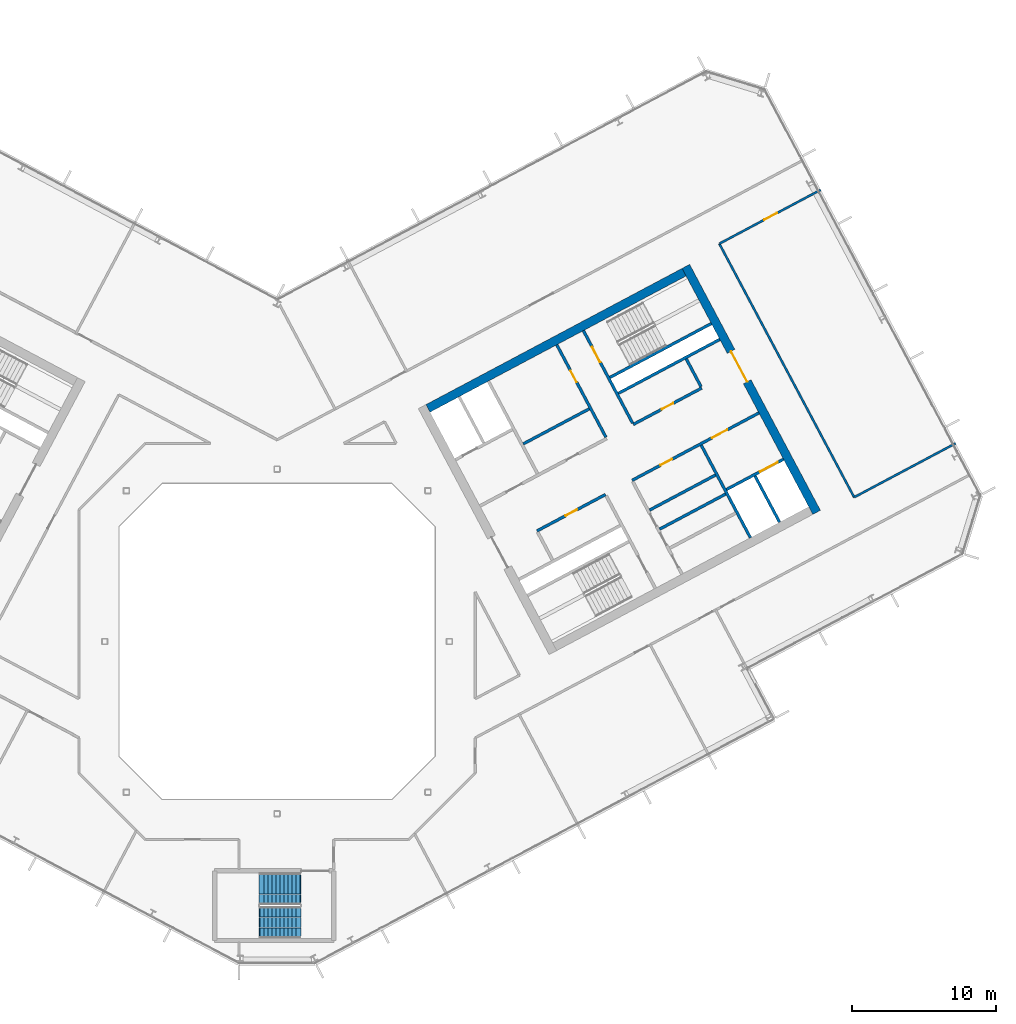
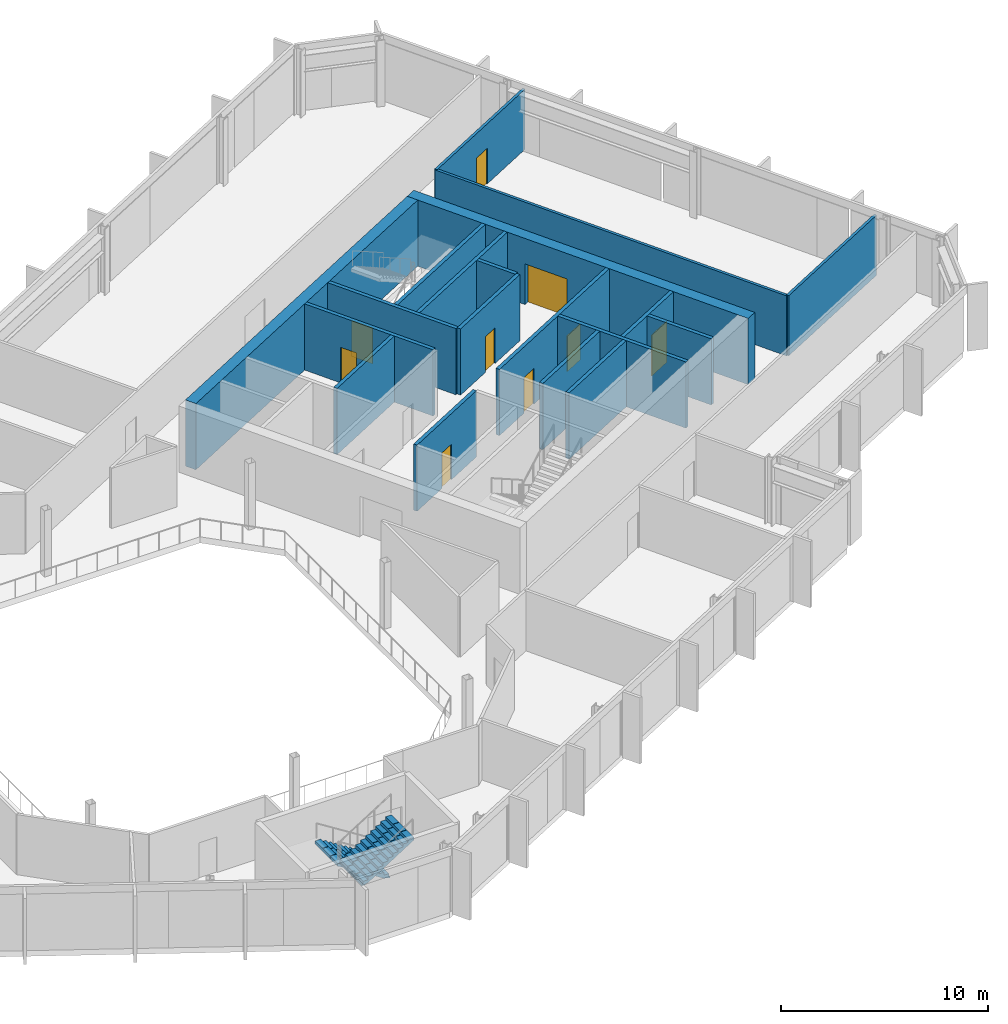
# One storey, part 16 of 26: 19 walls, 9 doors, 2 stair flights, 9 openings, 1 element without a shape of its own.
"""IFC4 building model written with IfcOpenShell, lengths in metres."""

from ifc_helpers import new_model, si_unit, direction, frame, frame_2d, origin, place, context, subcontext, project, spatial, polyline, rectangle, outline, extrude, material, layer, layer_set, type_object, element, fill, aggregate, save


model = new_model("IFC4")

# Units and contexts
model_context = context("Model", 3, precision=1e-05, world=origin(), true_north=direction((0.0, 1.0)))
body_context = subcontext(model_context, "Body", "Model", "MODEL_VIEW")
ifc_project = project(units=[si_unit("LENGTHUNIT", "METRE"), si_unit("AREAUNIT", "SQUARE_METRE"), si_unit("VOLUMEUNIT", "CUBIC_METRE"), si_unit("PLANEANGLEUNIT", "RADIAN"), si_unit("MASSUNIT", "GRAM", prefix="KILO")], contexts=[model_context])

# Site, building, storey
site_placement = place(None, origin())
site = spatial("IfcSite", under=ifc_project, at=site_placement, CompositionType="ELEMENT")
building_placement = place(site_placement, origin())
building = spatial("IfcBuilding", under=site, at=building_placement, Name="Cormorant Relay Tower", CompositionType="ELEMENT")
storey_placement = place(building_placement, frame((0.0, 0.0, 205.199951171875)))
storey = spatial("IfcBuildingStorey", under=building, at=storey_placement, Name="L44", CompositionType="ELEMENT", Elevation=205.199951171875)

# Wall
ifc_material_1 = material(Name="Concrete 40 MPa", Category="concrete")
ifc_layer_1 = layer(ifc_material_1, 0.199951171875)
ifc_layer_set_1 = layer_set([ifc_layer_1], Name="Core internal wall 200")
wall_type_1 = type_object("IfcWallType", Name="Core internal wall 200", PredefinedType="SOLIDWALL", material=ifc_layer_set_1)
wall_1_placement = place(storey_placement, frame((26.645263671875, 7.8251953125, 0.0), z_axis=(0.0, 0.0, 1.0), x_axis=(0.882953967957, 0.469459572775, 0.0)))
element("IfcWall", 1, at=wall_1_placement, inside=storey, type_object=wall_type_1, Name="L44 core B shaft and room wall", PredefinedType="SOLIDWALL", context=body_context, shape_type="SweptSolid", body=[
    extrude(rectangle(XDim=5.199951171875, YDim=0.199951171875, at=frame_2d((2.60009765625, 0.0))), origin(), (0.0, 0.0, 1.0), 3.900146484375),
])

# Wall, opening, door
ifc_material_2 = material(Name="Concrete 50 MPa", Category="concrete")
ifc_layer_2 = layer(ifc_material_2, 0.199951171875)
ifc_layer_set_2 = layer_set([ifc_layer_2], Name="Core shaft wall 200")
wall_type_2 = type_object("IfcWallType", Name="Core shaft wall 200", PredefinedType="SHEAR", material=ifc_layer_set_2)
wall_2_placement = place(storey_placement, frame((22.90625, 14.218017578125, 0.0), z_axis=(0.0, 0.0, 1.0), x_axis=(-0.469480409012, 0.88294288918, 0.0)))
wall_2 = element("IfcWall", 2, at=wall_2_placement, inside=storey, type_object=wall_type_2, Name="L44 core B shaft wall", PredefinedType="SHEAR", context=body_context, shape_type="SweptSolid", body=[
    extrude(rectangle(XDim=7.300048828125, YDim=0.199951171875, at=frame_2d((3.64990234375, 0.0))), origin(), (0.0, 0.0, 1.0), 3.900146484375),
])
opening_1_placement = place(wall_2_placement, frame((4.35009765625, 0.0, 0.0)))
opening_1 = element("IfcOpeningElement", 3, at=opening_1_placement, cuts=wall_2, Name="Opening CDD-264", PredefinedType="OPENING", context=body_context, shape_type="SweptSolid", body=[
    extrude(rectangle(XDim=0.89990234375, YDim=2.10009765625, at=frame_2d((0.449951171875, 1.050048828125))), frame((0.0, 0.10986328125, 0.0), z_axis=(0.0, -1.0, 0.0), x_axis=(1.0, 0.0, 0.0)), (0.0, 0.0, 1.0), 0.219970703125),
])
ifc_material_3 = material(Name="Steel fire door", Category="steel")
door_type_1 = type_object("IfcDoorType", Name="Core room door 900x2100", OperationType="SINGLE_SWING_LEFT", PredefinedType="DOOR", material=ifc_material_3)
door_1_placement = place(opening_1_placement, origin())
door_1 = element("IfcDoor", 4, at=door_1_placement, inside=storey, type_object=door_type_1, Name="Core room door 900x2100", OperationType="SINGLE_SWING_LEFT", OverallHeight=2.10009765625, OverallWidth=0.89990234375, PredefinedType="DOOR", context=body_context, shape_type="SweptSolid", body=[
    extrude(rectangle(XDim=0.89990234375, YDim=2.10009765625, at=frame_2d((0.449951171875, 1.050048828125))), frame((0.0, 0.02490234375, 0.0), z_axis=(0.0, -1.0, 0.0), x_axis=(1.0, 0.0, 0.0)), (0.0, 0.0, 1.0), 0.050048828125),
])
fill(opening_1, door_1)

wall_3_placement = place(storey_placement, frame((24.760498046875, 15.2041015625, 0.0), z_axis=(0.0, 0.0, 1.0), x_axis=(-0.469494272526, 0.882935517501, 0.0)))
wall_3 = element("IfcWall", 5, at=wall_3_placement, inside=storey, type_object=wall_type_2, Name="L44 core B shaft wall", PredefinedType="SHEAR", context=body_context, shape_type="SweptSolid", body=[
    extrude(rectangle(XDim=7.2998046875, YDim=0.199951171875, at=frame_2d((3.64990234375, 0.0))), origin(), (0.0, 0.0, 1.0), 3.900146484375),
])
opening_2_placement = place(wall_3_placement, frame((4.800048828125, 0.0, 0.0)))
opening_2 = element("IfcOpeningElement", 6, at=opening_2_placement, cuts=wall_3, Name="Opening CDB-041", PredefinedType="OPENING", context=body_context, shape_type="SweptSolid", body=[
    extrude(rectangle(XDim=1.199951171875, YDim=2.10009765625, at=frame_2d((0.60009765625, 1.050048828125))), frame((0.0, 0.10986328125, 0.0), z_axis=(0.0, -1.0, 0.0), x_axis=(1.0, 0.0, 0.0)), (0.0, 0.0, 1.0), 0.219970703125),
])
ifc_material_4 = material(Name="Steel fire door", Category="steel")
door_type_2 = type_object("IfcDoorType", Name="Core stair door 1200x2100", OperationType="SINGLE_SWING_LEFT", PredefinedType="DOOR", material=ifc_material_4)
door_2_placement = place(opening_2_placement, frame((1.199951171875, 0.0, 0.0), z_axis=(0.0, 0.0, 1.0), x_axis=(-1.0, 0.0, 0.0)))
door_2 = element("IfcDoor", 7, at=door_2_placement, inside=storey, type_object=door_type_2, Name="Core stair door 1200x2100", OperationType="SINGLE_SWING_RIGHT", OverallHeight=2.10009765625, OverallWidth=1.199951171875, PredefinedType="DOOR", context=body_context, shape_type="SweptSolid", body=[
    extrude(rectangle(XDim=1.199951171875, YDim=2.10009765625, at=frame_2d((0.60009765625, 1.050048828125))), frame((0.0, 0.02490234375, 0.0), z_axis=(0.0, -1.0, 0.0), x_axis=(1.0, 0.0, 0.0)), (0.0, 0.0, 1.0), 0.050048828125),
])
fill(opening_2, door_2)

# Walls
wall_4_placement = place(storey_placement, frame((32.968017578125, 7.222900390625, 0.0), z_axis=(0.0, 0.0, 1.0), x_axis=(-0.469480409012, 0.88294288918, 0.0)))
element("IfcWall", 8, at=wall_4_placement, inside=storey, type_object=wall_type_2, Name="L44 core B shaft wall", PredefinedType="SHEAR", context=body_context, shape_type="SweptSolid", body=[
    extrude(rectangle(XDim=7.300048828125, YDim=0.199951171875, at=frame_2d((3.64990234375, 0.0))), origin(), (0.0, 0.0, 1.0), 3.900146484375),
])
wall_5_placement = place(storey_placement, frame((29.5283203125, 17.739013671875, 0.0), z_axis=(0.0, 0.0, 1.0), x_axis=(-0.469401318492, 0.882984938828, 0.0)))
element("IfcWall", 9, at=wall_5_placement, inside=storey, type_object=wall_type_2, Name="L44 core B shaft wall", PredefinedType="SHEAR", context=body_context, shape_type="SweptSolid", body=[
    extrude(rectangle(XDim=2.199951171875, YDim=0.199951171875, at=frame_2d((1.10009765625, 0.0))), origin(), (0.0, 0.0, 1.0), 3.900146484375),
])
wall_6_placement = place(storey_placement, frame((34.998779296875, 8.302734375, 0.0), z_axis=(0.0, 0.0, 1.0), x_axis=(-0.4694665462, 0.882950260207, 0.0)))
element("IfcWall", 10, at=wall_6_placement, inside=storey, type_object=wall_type_2, Name="L44 core B shaft wall", PredefinedType="SHEAR", context=body_context, shape_type="SweptSolid", body=[
    extrude(rectangle(XDim=3.650146484375, YDim=0.199951171875, at=frame_2d((1.8251953125, 0.0))), origin(), (0.0, 0.0, 1.0), 3.900146484375),
])

# Wall, opening, door
wall_7_placement = place(storey_placement, frame((31.295654296875, 10.5810546875, 0.0), z_axis=(0.0, 0.0, 1.0), x_axis=(0.882960433586, 0.469447412093, 0.0)))
wall_7 = element("IfcWall", 11, at=wall_7_placement, inside=storey, type_object=wall_type_2, Name="L44 core B shaft wall", PredefinedType="SHEAR", context=body_context, shape_type="SweptSolid", body=[
    extrude(rectangle(XDim=4.5, YDim=0.199951171875, at=frame_2d((2.25, 0.0))), origin(), (0.0, 0.0, 1.0), 3.900146484375),
])
opening_3_placement = place(wall_7_placement, frame((2.64990234375, 0.0, 0.0)))
opening_3 = element("IfcOpeningElement", 12, at=opening_3_placement, cuts=wall_7, Name="Opening LD3-016", PredefinedType="OPENING", context=body_context, shape_type="SweptSolid", body=[
    extrude(rectangle(XDim=1.39990234375, YDim=2.39990234375, at=frame_2d((0.699951171875, 1.199951171875))), frame((0.0, 0.10986328125, 0.0), z_axis=(0.0, -1.0, 0.0), x_axis=(1.0, 0.0, 0.0)), (0.0, 0.0, 1.0), 0.219970703125),
])
ifc_material_5 = material(Name="Stainless steel 316", Category="steel")
door_type_3 = type_object("IfcDoorType", Name="Lift landing door 1400x2400", OperationType="DOUBLE_DOOR_SLIDING", PredefinedType="DOOR", material=ifc_material_5)
door_3_placement = place(opening_3_placement, origin())
door_3 = element("IfcDoor", 13, at=door_3_placement, inside=storey, type_object=door_type_3, Name="SV2 landing door", OperationType="DOUBLE_DOOR_SLIDING", OverallHeight=2.39990234375, OverallWidth=1.39990234375, PredefinedType="DOOR", context=body_context, shape_type="SweptSolid", body=[
    extrude(rectangle(XDim=1.39990234375, YDim=2.39990234375, at=frame_2d((0.699951171875, 1.199951171875))), frame((0.0, 0.02490234375, 0.0), z_axis=(0.0, -1.0, 0.0), x_axis=(1.0, 0.0, 0.0)), (0.0, 0.0, 1.0), 0.050048828125),
])
fill(opening_3, door_3)

# Wall
wall_8_placement = place(storey_placement, frame((25.94091796875, 9.149658203125, 0.0), z_axis=(0.0, 0.0, 1.0), x_axis=(0.882953967957, 0.469459572775, 0.0)))
element("IfcWall", 14, at=wall_8_placement, inside=storey, type_object=wall_type_2, Name="L44 core B shaft wall", PredefinedType="SHEAR", context=body_context, shape_type="SweptSolid", body=[
    extrude(rectangle(XDim=5.199951171875, YDim=0.199951171875, at=frame_2d((2.60009765625, 0.0))), origin(), (0.0, 0.0, 1.0), 3.900146484375),
])

# Wall, opening, door
wall_9_placement = place(storey_placement, frame((18.103759765625, 7.70068359375, 0.0), z_axis=(0.0, 0.0, 1.0), x_axis=(0.882952937579, 0.469461510692, 0.0)))
wall_9 = element("IfcWall", 15, at=wall_9_placement, inside=storey, type_object=wall_type_2, Name="L44 core B shaft wall", PredefinedType="SHEAR", context=body_context, shape_type="SweptSolid", body=[
    extrude(rectangle(XDim=5.400146484375, YDim=0.199951171875, at=frame_2d((2.7001953125, 0.0))), origin(), (0.0, 0.0, 1.0), 3.900146484375),
])
opening_4_placement = place(wall_9_placement, frame((2.25, 0.0, 0.0)))
opening_4 = element("IfcOpeningElement", 16, at=opening_4_placement, cuts=wall_9, Name="Opening CDD-262", PredefinedType="OPENING", context=body_context, shape_type="SweptSolid", body=[
    extrude(rectangle(XDim=0.89990234375, YDim=2.10009765625, at=frame_2d((0.449951171875, 1.050048828125))), frame((0.0, 0.10986328125, 0.0), z_axis=(0.0, -1.0, 0.0), x_axis=(1.0, 0.0, 0.0)), (0.0, 0.0, 1.0), 0.219970703125),
])
door_4_placement = place(opening_4_placement, frame((0.89990234375, 0.0, 0.0), z_axis=(0.0, 0.0, 1.0), x_axis=(-1.0, 0.0, 0.0)))
door_4 = element("IfcDoor", 17, at=door_4_placement, inside=storey, type_object=door_type_1, Name="Core room door 900x2100", OperationType="SINGLE_SWING_RIGHT", OverallHeight=2.10009765625, OverallWidth=0.89990234375, PredefinedType="DOOR", context=body_context, shape_type="SweptSolid", body=[
    extrude(rectangle(XDim=0.89990234375, YDim=2.10009765625, at=frame_2d((0.449951171875, 1.050048828125))), frame((0.0, 0.02490234375, 0.0), z_axis=(0.0, -1.0, 0.0), x_axis=(1.0, 0.0, 0.0)), (0.0, 0.0, 1.0), 0.050048828125),
])
fill(opening_4, door_4)

# Wall, openings, doors
wall_10_placement = place(storey_placement, frame((24.72607421875, 11.2216796875, 0.0), z_axis=(0.0, 0.0, 1.0), x_axis=(0.882940221191, 0.469485426614, 0.0)))
wall_10 = element("IfcWall", 18, at=wall_10_placement, inside=storey, type_object=wall_type_2, Name="L44 core B shaft wall", PredefinedType="SHEAR", context=body_context, shape_type="SweptSolid", body=[
    extrude(rectangle(XDim=10.0, YDim=0.199951171875, at=frame_2d((5.0, 0.0))), origin(), (0.0, 0.0, 1.0), 3.900146484375),
])
opening_5_placement = place(wall_10_placement, frame((6.300048828125, 0.0, 0.0)))
opening_5 = element("IfcOpeningElement", 19, at=opening_5_placement, cuts=wall_10, Name="Opening CDC-038", PredefinedType="OPENING", context=body_context, shape_type="SweptSolid", body=[
    extrude(rectangle(XDim=1.199951171875, YDim=2.10009765625, at=frame_2d((0.60009765625, 1.050048828125))), frame((0.0, 0.10986328125, 0.0), z_axis=(0.0, -1.0, 0.0), x_axis=(1.0, 0.0, 0.0)), (0.0, 0.0, 1.0), 0.219970703125),
])
opening_6_placement = place(wall_10_placement, frame((2.25, 0.0, 0.0)))
opening_6 = element("IfcOpeningElement", 20, at=opening_6_placement, cuts=wall_10, Name="Opening CDD-263", PredefinedType="OPENING", context=body_context, shape_type="SweptSolid", body=[
    extrude(rectangle(XDim=0.89990234375, YDim=2.10009765625, at=frame_2d((0.449951171875, 1.050048828125))), frame((0.0, 0.10986328125, 0.0), z_axis=(0.0, -1.0, 0.0), x_axis=(1.0, 0.0, 0.0)), (0.0, 0.0, 1.0), 0.219970703125),
])
ifc_material_6 = material(Name="Steel fire door", Category="steel")
door_type_4 = type_object("IfcDoorType", Name="Core lobby door 1200x2100", OperationType="SINGLE_SWING_LEFT", PredefinedType="DOOR", material=ifc_material_6)
door_5_placement = place(opening_5_placement, origin())
door_5 = element("IfcDoor", 21, at=door_5_placement, inside=storey, type_object=door_type_4, Name="Core lobby door 1200x2100", OperationType="SINGLE_SWING_LEFT", OverallHeight=2.10009765625, OverallWidth=1.199951171875, PredefinedType="DOOR", context=body_context, shape_type="SweptSolid", body=[
    extrude(rectangle(XDim=1.199951171875, YDim=2.10009765625, at=frame_2d((0.60009765625, 1.050048828125))), frame((0.0, 0.02490234375, 0.0), z_axis=(0.0, -1.0, 0.0), x_axis=(1.0, 0.0, 0.0)), (0.0, 0.0, 1.0), 0.050048828125),
])
fill(opening_5, door_5)
door_6_placement = place(opening_6_placement, frame((0.89990234375, 0.0, 0.0), z_axis=(0.0, 0.0, 1.0), x_axis=(-1.0, 0.0, 0.0)))
door_6 = element("IfcDoor", 22, at=door_6_placement, inside=storey, type_object=door_type_1, Name="Core room door 900x2100", OperationType="SINGLE_SWING_RIGHT", OverallHeight=2.10009765625, OverallWidth=0.89990234375, PredefinedType="DOOR", context=body_context, shape_type="SweptSolid", body=[
    extrude(rectangle(XDim=0.89990234375, YDim=2.10009765625, at=frame_2d((0.449951171875, 1.050048828125))), frame((0.0, 0.02490234375, 0.0), z_axis=(0.0, -1.0, 0.0), x_axis=(1.0, 0.0, 0.0)), (0.0, 0.0, 1.0), 0.050048828125),
])
fill(opening_6, door_6)

# Wall, opening, door
wall_11_placement = place(storey_placement, frame((24.807373046875, 15.11572265625, 0.0), z_axis=(0.0, 0.0, 1.0), x_axis=(0.882942972946, 0.469480251476, 0.0)))
wall_11 = element("IfcWall", 23, at=wall_11_placement, inside=storey, type_object=wall_type_2, Name="L44 core B shaft wall", PredefinedType="SHEAR", context=body_context, shape_type="SweptSolid", body=[
    extrude(rectangle(XDim=5.39990234375, YDim=0.199951171875, at=frame_2d((2.699951171875, 0.0))), origin(), (0.0, 0.0, 1.0), 3.900146484375),
])
opening_7_placement = place(wall_11_placement, frame((2.25, 0.0, 0.0)))
opening_7 = element("IfcOpeningElement", 24, at=opening_7_placement, cuts=wall_11, Name="Opening CDD-261", PredefinedType="OPENING", context=body_context, shape_type="SweptSolid", body=[
    extrude(rectangle(XDim=0.89990234375, YDim=2.10009765625, at=frame_2d((0.449951171875, 1.050048828125))), frame((0.0, 0.10986328125, 0.0), z_axis=(0.0, -1.0, 0.0), x_axis=(1.0, 0.0, 0.0)), (0.0, 0.0, 1.0), 0.219970703125),
])
door_7_placement = place(opening_7_placement, origin())
door_7 = element("IfcDoor", 25, at=door_7_placement, inside=storey, type_object=door_type_1, Name="Core room door 900x2100", OperationType="SINGLE_SWING_LEFT", OverallHeight=2.10009765625, OverallWidth=0.89990234375, PredefinedType="DOOR", context=body_context, shape_type="SweptSolid", body=[
    extrude(rectangle(XDim=0.89990234375, YDim=2.10009765625, at=frame_2d((0.449951171875, 1.050048828125))), frame((0.0, 0.02490234375, 0.0), z_axis=(0.0, -1.0, 0.0), x_axis=(1.0, 0.0, 0.0)), (0.0, 0.0, 1.0), 0.050048828125),
])
fill(opening_7, door_7)

# Walls
wall_12_placement = place(storey_placement, frame((17.146728515625, 13.7607421875, 0.0), z_axis=(0.0, 0.0, 1.0), x_axis=(0.882964314875, 0.469440111896, 0.0)))
element("IfcWall", 26, at=wall_12_placement, inside=storey, type_object=wall_type_2, Name="L44 core B shaft wall", PredefinedType="SHEAR", context=body_context, shape_type="SweptSolid", body=[
    extrude(rectangle(XDim=5.2001953125, YDim=0.199951171875, at=frame_2d((2.60009765625, 0.0))), origin(), (0.0, 0.0, 1.0), 3.900146484375),
])
wall_13_placement = place(storey_placement, frame((23.76904296875, 17.28173828125, 0.0), z_axis=(0.0, 0.0, 1.0), x_axis=(0.882940221191, 0.469485426614, 0.0)))
element("IfcWall", 27, at=wall_13_placement, inside=storey, type_object=wall_type_2, Name="L44 core B shaft wall", PredefinedType="SHEAR", context=body_context, shape_type="SweptSolid", body=[
    extrude(rectangle(XDim=8.0, YDim=0.199951171875, at=frame_2d((4.0, 0.0))), origin(), (0.0, 0.0, 1.0), 3.900146484375),
])
wall_14_placement = place(storey_placement, frame((23.18212890625, 18.385498046875, 0.0), z_axis=(0.0, 0.0, 1.0), x_axis=(0.88295287151, 0.469461634952, 0.0)))
element("IfcWall", 28, at=wall_14_placement, inside=storey, type_object=wall_type_2, Name="L44 core B shaft wall", PredefinedType="SHEAR", context=body_context, shape_type="SweptSolid", body=[
    extrude(rectangle(XDim=7.999755859375, YDim=0.199951171875, at=frame_2d((4.0, 0.0))), origin(), (0.0, 0.0, 1.0), 3.900146484375),
])

# Wall, opening, door
ifc_material_7 = material(Name="Concrete 50 MPa", Category="concrete")
ifc_layer_3 = layer(ifc_material_7, 0.60009765625)
ifc_layer_set_3 = layer_set([ifc_layer_3], Name="Core wall 600")
wall_type_3 = type_object("IfcWallType", Name="Core wall 600", PredefinedType="SHEAR", material=ifc_layer_set_3)
wall_15_placement = place(storey_placement, frame((37.576171875, 8.99365234375, 0.0), z_axis=(0.0, 0.0, 1.0), x_axis=(-0.469478769487, 0.88294376095, 0.0)))
wall_15 = element("IfcWall", 29, at=wall_15_placement, inside=storey, type_object=wall_type_3, Name="L44 core B wall", PredefinedType="SHEAR", context=body_context, shape_type="SweptSolid", body=[
    extrude(rectangle(XDim=19.400146484375, YDim=0.60009765625, at=frame_2d((9.7001953125, 0.0))), origin(), (0.0, 0.0, 1.0), 3.900146484375),
])
opening_8_placement = place(wall_15_placement, frame((10.300048828125, 0.0, 0.0)))
opening_8 = element("IfcOpeningElement", 30, at=opening_8_placement, cuts=wall_15, Name="Opening CDA-043", PredefinedType="OPENING", context=body_context, shape_type="SweptSolid", body=[
    extrude(rectangle(XDim=2.39990234375, YDim=2.39990234375, at=frame_2d((1.199951171875, 1.199951171875))), frame((0.0, 0.31005859375, 0.0), z_axis=(0.0, -1.0, 0.0), x_axis=(1.0, 0.0, 0.0)), (0.0, 0.0, 1.0), 0.6201171875),
])
ifc_material_8 = material(Name="Steel fire door", Category="steel")
door_type_5 = type_object("IfcDoorType", Name="Core lobby door 2400x2400", OperationType="DOUBLE_DOOR_SINGLE_SWING", PredefinedType="DOOR", material=ifc_material_8)
door_8_placement = place(opening_8_placement, origin())
door_8 = element("IfcDoor", 31, at=door_8_placement, inside=storey, type_object=door_type_5, Name="Core lobby door 2400x2400", OperationType="DOUBLE_DOOR_SINGLE_SWING", OverallHeight=2.39990234375, OverallWidth=2.39990234375, PredefinedType="DOOR", context=body_context, shape_type="SweptSolid", body=[
    extrude(rectangle(XDim=2.39990234375, YDim=2.39990234375, at=frame_2d((1.199951171875, 1.199951171875))), frame((0.0, 0.02490234375, 0.0), z_axis=(0.0, -1.0, 0.0), x_axis=(1.0, 0.0, 0.0)), (0.0, 0.0, 1.0), 0.050048828125),
])
fill(opening_8, door_8)

# Wall
wall_16_placement = place(storey_placement, frame((10.5087890625, 16.23388671875, 0.0), z_axis=(0.0, 0.0, 1.0), x_axis=(0.88295010195, 0.469466843842, 0.0)))
element("IfcWall", 32, at=wall_16_placement, inside=storey, type_object=wall_type_3, Name="L44 core B wall", PredefinedType="SHEAR", context=body_context, shape_type="SweptSolid", body=[
    extrude(rectangle(XDim=20.199951171875, YDim=0.60009765625, at=frame_2d((10.10009765625, 0.0))), origin(), (0.0, 0.0, 1.0), 3.900146484375),
])

# Wall, opening, door
ifc_material_9 = material(Name="Gypsum board fire partition")
ifc_layer_4 = layer(ifc_material_9, 0.14990234375)
ifc_layer_set_4 = layer_set([ifc_layer_4], Name="Corridor partition 150 EI 60")
wall_type_4 = type_object("IfcWallType", Name="Corridor partition 150 EI 60", PredefinedType="PARTITIONING", material=ifc_layer_set_4)
wall_17_placement = place(storey_placement, frame((37.863037109375, 31.4580078125, 0.0), z_axis=(0.0, 0.0, 1.0), x_axis=(-0.882914115089, -0.469534519898, 0.0)))
wall_17 = element("IfcWall", 33, at=wall_17_placement, inside=storey, type_object=wall_type_4, Name="wall/L44/part/041", PredefinedType="PARTITIONING", context=body_context, shape_type="SweptSolid", body=[
    extrude(rectangle(XDim=7.99951171875, YDim=0.14990234375, at=frame_2d((3.999755859375, 0.0))), origin(), (0.0, 0.0, 1.0), 3.5400390625),
])
opening_9_placement = place(wall_17_placement, frame((3.450927734375, 0.0, 0.0)))
opening_9 = element("IfcOpeningElement", 34, at=opening_9_placement, cuts=wall_17, Name="Opening DS-137", PredefinedType="OPENING", context=body_context, shape_type="SweptSolid", body=[
    extrude(rectangle(XDim=1.0, YDim=2.10009765625, at=frame_2d((0.5, 1.050048828125))), frame((0.0, 0.0849609375, 0.0), z_axis=(0.0, -1.0, 0.0), x_axis=(1.0, 0.0, 0.0)), (0.0, 0.0, 1.0), 0.169921875),
])
ifc_material_10 = material(Name="Timber door leaf", Category="wood")
door_type_6 = type_object("IfcDoorType", Name="Suite door 1000x2100", OperationType="SINGLE_SWING_LEFT", PredefinedType="DOOR", material=ifc_material_10)
door_9_placement = place(opening_9_placement, origin())
door_9 = element("IfcDoor", 35, at=door_9_placement, inside=storey, type_object=door_type_6, Name="door/L44/021", OperationType="SINGLE_SWING_RIGHT", OverallHeight=2.10009765625, OverallWidth=1.0, PredefinedType="DOOR", context=body_context, shape_type="SweptSolid", body=[
    extrude(rectangle(XDim=1.0, YDim=2.10009765625, at=frame_2d((0.5, 1.050048828125))), frame((0.0, 0.02490234375, 0.0), z_axis=(0.0, -1.0, 0.0), x_axis=(1.0, 0.0, 0.0)), (0.0, 0.0, 1.0), 0.050048828125),
])
fill(opening_9, door_9)

# Walls
wall_18_placement = place(storey_placement, frame((30.800048828125, 27.701904296875, 0.0), z_axis=(0.0, 0.0, 1.0), x_axis=(0.469451816494, -0.882958091865, 0.0)))
element("IfcWall", 36, at=wall_18_placement, inside=storey, type_object=wall_type_4, Name="wall/L44/part/042", PredefinedType="PARTITIONING", context=body_context, shape_type="SweptSolid", body=[
    extrude(rectangle(XDim=19.999755859375, YDim=0.14990234375, at=frame_2d((10.0, 0.0))), origin(), (0.0, 0.0, 1.0), 3.5400390625),
])
wall_19_placement = place(storey_placement, frame((40.18896484375, 10.04296875, 0.0), z_axis=(0.0, 0.0, 1.0), x_axis=(0.882991619958, 0.469388750487, 0.0)))
element("IfcWall", 37, at=wall_19_placement, inside=storey, type_object=wall_type_4, Name="wall/L44/part/043", PredefinedType="PARTITIONING", context=body_context, shape_type="SweptSolid", body=[
    extrude(rectangle(XDim=8.0, YDim=0.14990234375, at=frame_2d((4.0, 0.0))), origin(), (0.0, 0.0, 1.0), 3.5400390625),
])

# Stair, stair flights
ifc_material_11 = material(Name="Concrete 40 MPa", Category="concrete")
stair_type = type_object("IfcStairType", Name="Remote exit stair 2200", PredefinedType="HALF_TURN_STAIR", material=ifc_material_11)
stair_placement = place(storey_placement, origin())
stair = element("IfcStair", 38, at=stair_placement, inside=storey, type_object=stair_type, Name="L44 Stair", PredefinedType="HALF_TURN_STAIR")
ifc_material_12 = material(Name="Concrete 40 MPa", Category="concrete")
stair_flight_type = type_object("IfcStairFlightType", Name="Remote exit stair flight 2200", PredefinedType="STRAIGHT", material=ifc_material_12)
stair_flight_1_placement = place(storey_placement, frame((1.60009765625, -17.22509765625, 0.0), z_axis=(0.0, 0.0, 1.0), x_axis=(-1.0, 0.0, 0.0)))
stair_flight_1 = element("IfcStairFlight", 39, at=stair_flight_1_placement, type_object=stair_flight_type, Name="RK1 flight 1", NumberOfRisers=11, NumberOfTreads=10, PredefinedType="STRAIGHT", RiserHeight=0.177272727, TreadLength=0.28, context=body_context, shape_type="SweptSolid", body=[
    extrude(outline(polyline([(-0.050048828125, -0.080078125), (-0.050048828125, 0.0), (0.0, 0.0), (0.0, 0.17724609375), (0.280029296875, 0.17724609375), (0.280029296875, 0.3544921875), (0.56005859375, 0.3544921875), (0.56005859375, 0.53173828125), (0.840087890625, 0.53173828125), (0.840087890625, 0.708984375), (1.1201171875, 0.708984375), (1.1201171875, 0.886474609375), (1.39990234375, 0.886474609375), (1.39990234375, 1.063720703125), (1.679931640625, 1.063720703125), (1.679931640625, 1.240966796875), (1.9599609375, 1.240966796875), (1.9599609375, 1.418212890625), (2.239990234375, 1.418212890625), (2.239990234375, 1.595458984375), (2.52001953125, 1.595458984375), (2.52001953125, 1.772705078125), (2.800048828125, 1.772705078125), (2.85009765625, 1.772705078125), (2.85009765625, 1.59521484375), (2.800048828125, 1.59521484375), (0.2802734375, 0.0), (-0.050048828125, -0.080078125)])), frame((0.0, 1.10009765625, 0.0), z_axis=(0.0, -1.0, 0.0), x_axis=(1.0, 0.0, 0.0)), (0.0, 0.0, 1.0), 0.719970703125),
    extrude(outline(polyline([(-0.050048828125, -0.080078125), (-0.050048828125, 0.0), (0.0, 0.0), (0.0, 0.17724609375), (0.280029296875, 0.17724609375), (0.280029296875, 0.3544921875), (0.56005859375, 0.3544921875), (0.56005859375, 0.53173828125), (0.840087890625, 0.53173828125), (0.840087890625, 0.708984375), (1.1201171875, 0.708984375), (1.1201171875, 0.886474609375), (1.39990234375, 0.886474609375), (1.39990234375, 1.063720703125), (1.679931640625, 1.063720703125), (1.679931640625, 1.240966796875), (1.9599609375, 1.240966796875), (1.9599609375, 1.418212890625), (2.239990234375, 1.418212890625), (2.239990234375, 1.595458984375), (2.52001953125, 1.595458984375), (2.52001953125, 1.772705078125), (2.800048828125, 1.772705078125), (2.85009765625, 1.772705078125), (2.85009765625, 1.59521484375), (2.800048828125, 1.59521484375), (0.2802734375, 0.0), (-0.050048828125, -0.080078125)])), frame((0.0, 0.360107421875, 0.0), z_axis=(0.0, -1.0, 0.0), x_axis=(1.0, 0.0, 0.0)), (0.0, 0.0, 1.0), 0.719970703125),
    extrude(outline(polyline([(-0.050048828125, -0.080078125), (-0.050048828125, 0.0), (0.0, 0.0), (0.0, 0.17724609375), (0.280029296875, 0.17724609375), (0.280029296875, 0.3544921875), (0.56005859375, 0.3544921875), (0.56005859375, 0.53173828125), (0.840087890625, 0.53173828125), (0.840087890625, 0.708984375), (1.1201171875, 0.708984375), (1.1201171875, 0.886474609375), (1.39990234375, 0.886474609375), (1.39990234375, 1.063720703125), (1.679931640625, 1.063720703125), (1.679931640625, 1.240966796875), (1.9599609375, 1.240966796875), (1.9599609375, 1.418212890625), (2.239990234375, 1.418212890625), (2.239990234375, 1.595458984375), (2.52001953125, 1.595458984375), (2.52001953125, 1.772705078125), (2.800048828125, 1.772705078125), (2.85009765625, 1.772705078125), (2.85009765625, 1.59521484375), (2.800048828125, 1.59521484375), (0.2802734375, 0.0), (-0.050048828125, -0.080078125)])), frame((0.0, -0.3798828125, 0.0), z_axis=(0.0, -1.0, 0.0), x_axis=(1.0, 0.0, 0.0)), (0.0, 0.0, 1.0), 0.719970703125),
])
stair_flight_2_placement = place(storey_placement, frame((-1.199951171875, -19.574951171875, 1.949951171875), z_axis=(0.0, 0.0, 1.0), x_axis=(1.0, 0.0, 0.0)))
stair_flight_2 = element("IfcStairFlight", 40, at=stair_flight_2_placement, type_object=stair_flight_type, Name="RK1 flight 2", NumberOfRisers=11, NumberOfTreads=10, PredefinedType="STRAIGHT", RiserHeight=0.177272727, TreadLength=0.28, context=body_context, shape_type="SweptSolid", body=[
    extrude(outline(polyline([(-0.050048828125, -0.080078125), (-0.050048828125, 0.0), (0.0, 0.0), (0.0, 0.17724609375), (0.280029296875, 0.17724609375), (0.280029296875, 0.3544921875), (0.56005859375, 0.3544921875), (0.56005859375, 0.53173828125), (0.840087890625, 0.53173828125), (0.840087890625, 0.708984375), (1.1201171875, 0.708984375), (1.1201171875, 0.886474609375), (1.39990234375, 0.886474609375), (1.39990234375, 1.063720703125), (1.679931640625, 1.063720703125), (1.679931640625, 1.240966796875), (1.9599609375, 1.240966796875), (1.9599609375, 1.418212890625), (2.239990234375, 1.418212890625), (2.239990234375, 1.595458984375), (2.52001953125, 1.595458984375), (2.52001953125, 1.772705078125), (2.800048828125, 1.772705078125), (2.85009765625, 1.772705078125), (2.85009765625, 1.59521484375), (2.800048828125, 1.59521484375), (0.2802734375, 0.0), (-0.050048828125, -0.080078125)])), frame((0.0, 1.10009765625, 0.0), z_axis=(0.0, -1.0, 0.0), x_axis=(1.0, 0.0, 0.0)), (0.0, 0.0, 1.0), 0.719970703125),
    extrude(outline(polyline([(-0.050048828125, -0.080078125), (-0.050048828125, 0.0), (0.0, 0.0), (0.0, 0.17724609375), (0.280029296875, 0.17724609375), (0.280029296875, 0.3544921875), (0.56005859375, 0.3544921875), (0.56005859375, 0.53173828125), (0.840087890625, 0.53173828125), (0.840087890625, 0.708984375), (1.1201171875, 0.708984375), (1.1201171875, 0.886474609375), (1.39990234375, 0.886474609375), (1.39990234375, 1.063720703125), (1.679931640625, 1.063720703125), (1.679931640625, 1.240966796875), (1.9599609375, 1.240966796875), (1.9599609375, 1.418212890625), (2.239990234375, 1.418212890625), (2.239990234375, 1.595458984375), (2.52001953125, 1.595458984375), (2.52001953125, 1.772705078125), (2.800048828125, 1.772705078125), (2.85009765625, 1.772705078125), (2.85009765625, 1.59521484375), (2.800048828125, 1.59521484375), (0.2802734375, 0.0), (-0.050048828125, -0.080078125)])), frame((0.0, 0.360107421875, 0.0), z_axis=(0.0, -1.0, 0.0), x_axis=(1.0, 0.0, 0.0)), (0.0, 0.0, 1.0), 0.719970703125),
    extrude(outline(polyline([(-0.050048828125, -0.080078125), (-0.050048828125, 0.0), (0.0, 0.0), (0.0, 0.17724609375), (0.280029296875, 0.17724609375), (0.280029296875, 0.3544921875), (0.56005859375, 0.3544921875), (0.56005859375, 0.53173828125), (0.840087890625, 0.53173828125), (0.840087890625, 0.708984375), (1.1201171875, 0.708984375), (1.1201171875, 0.886474609375), (1.39990234375, 0.886474609375), (1.39990234375, 1.063720703125), (1.679931640625, 1.063720703125), (1.679931640625, 1.240966796875), (1.9599609375, 1.240966796875), (1.9599609375, 1.418212890625), (2.239990234375, 1.418212890625), (2.239990234375, 1.595458984375), (2.52001953125, 1.595458984375), (2.52001953125, 1.772705078125), (2.800048828125, 1.772705078125), (2.85009765625, 1.772705078125), (2.85009765625, 1.59521484375), (2.800048828125, 1.59521484375), (0.2802734375, 0.0), (-0.050048828125, -0.080078125)])), frame((0.0, -0.3798828125, 0.0), z_axis=(0.0, -1.0, 0.0), x_axis=(1.0, 0.0, 0.0)), (0.0, 0.0, 1.0), 0.719970703125),
])
aggregate(stair, [stair_flight_1, stair_flight_2])

save(model, "model.ifc")
